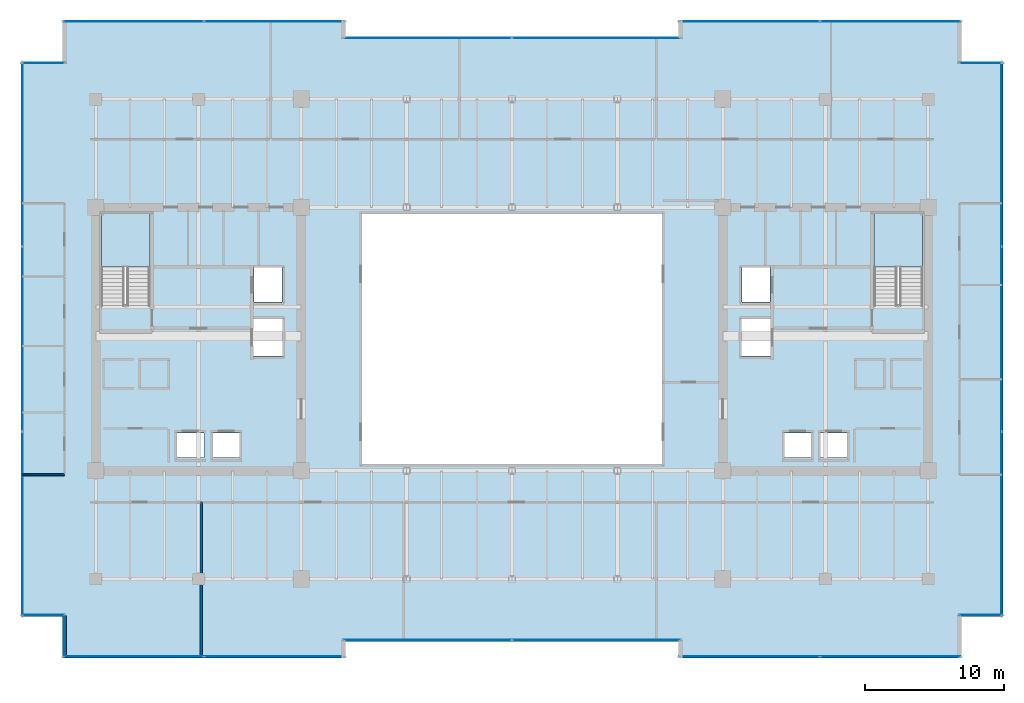
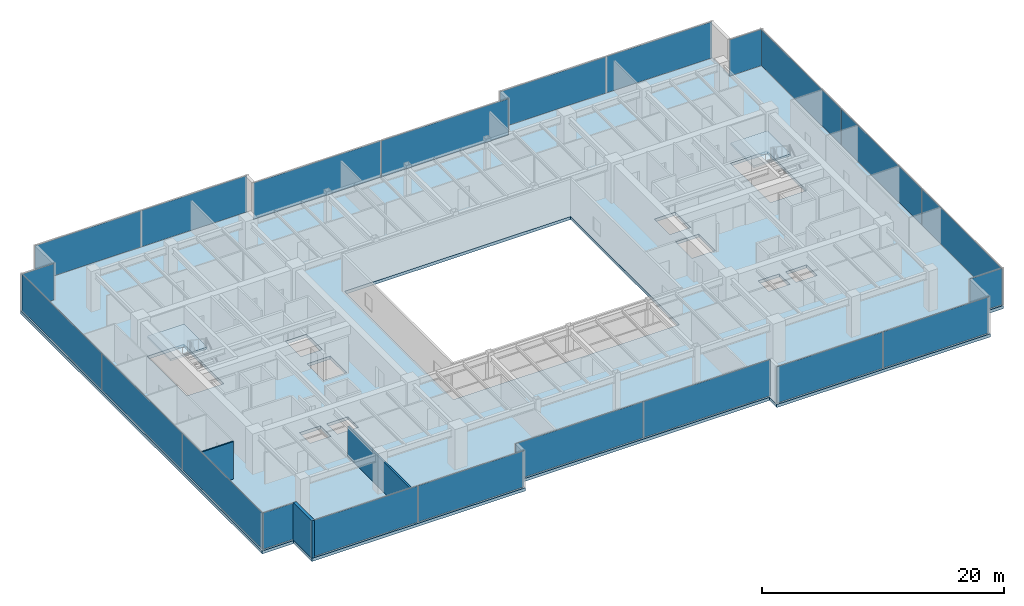
# One storey, part 24 of 31: 22 plates, 3 slabs, 3 walls, 14 elements without a shape of their own.
"""IFC4 building model written with IfcOpenShell, lengths in metres."""

from ifc_helpers import new_model, si_unit, direction, frame, frame_2d, origin, origin_2d, place, context, subcontext, project, spatial, polyline, rectangle, outline, extrude, source, transform, mapped, material, layer, layer_set, type_object, type_shapes, element, aggregate, save


model = new_model("IFC4")

# Units and contexts
model_context = context("Model", 3, precision=1e-05, world=origin(), true_north=direction((0.0, 1.0)))
body_context = subcontext(model_context, "Body", "Model", "MODEL_VIEW")
ifc_project = project(units=[si_unit("LENGTHUNIT", "METRE"), si_unit("AREAUNIT", "SQUARE_METRE"), si_unit("VOLUMEUNIT", "CUBIC_METRE"), si_unit("PLANEANGLEUNIT", "RADIAN"), si_unit("MASSUNIT", "GRAM", prefix="KILO")], contexts=[model_context])

# Site, building, storey
site_placement = place(None, origin())
site = spatial("IfcSite", under=ifc_project, at=site_placement, CompositionType="ELEMENT")
building_placement = place(site_placement, origin())
building = spatial("IfcBuilding", under=site, at=building_placement, Name="Haelvirn Gate Laboratories", CompositionType="ELEMENT")
storey_placement = place(building_placement, frame((0.0, 0.0, 154.300048828125)))
storey = spatial("IfcBuildingStorey", under=building, at=storey_placement, Name="L37", CompositionType="ELEMENT", Elevation=154.300048828125)

# Stair, slab
ifc_material_1 = material(Name="Concrete C40/50", Category="concrete")
stair_type = type_object("IfcStairType", Name="ST-DOG-1650-R22", PredefinedType="HALF_TURN_STAIR", material=ifc_material_1)
stair_1_placement = place(storey_placement, origin())
stair_1 = element("IfcStair", 1, at=stair_1_placement, inside=storey, type_object=stair_type, Name="L37 Escape Stair ST1", PredefinedType="HALF_TURN_STAIR")
ifc_layer_1 = layer(ifc_material_1, 0.199951171875, Name="SL-STAIR-LND")
ifc_layer_set_1 = layer_set([ifc_layer_1], Name="Concrete C40/50")
slab_type_1 = type_object("IfcSlabType", Name="SL-STAIR-LND", PredefinedType="LANDING", material=ifc_layer_set_1)
slab_1_placement = place(storey_placement, frame((0.0, 0.0, 1.849853515625)))
slab_1 = element("IfcSlab", 2, at=slab_1_placement, type_object=slab_type_1, Name="ST1 landing 1", PredefinedType="LANDING", context=body_context, shape_type="SweptSolid", body=[
    extrude(outline(polyline([(11.300048828125, 29.5), (11.300048828125, 33.35009765625), (7.800048828125, 33.35009765625), (7.800048828125, 29.5), (11.300048828125, 29.5)])), origin(), (0.0, 0.0, 1.0), 0.2001953125),
])
aggregate(stair_1, [slab_1])

stair_2_placement = place(storey_placement, origin())
stair_2 = element("IfcStair", 3, at=stair_2_placement, inside=storey, type_object=stair_type, Name="L37 Escape Stair ST2", PredefinedType="HALF_TURN_STAIR")
slab_2_placement = place(storey_placement, frame((0.0, 0.0, 1.849853515625)))
slab_2 = element("IfcSlab", 4, at=slab_2_placement, type_object=slab_type_1, Name="ST2 landing 1", PredefinedType="LANDING", context=body_context, shape_type="SweptSolid", body=[
    extrude(outline(polyline([(67.0, 29.5), (67.0, 33.35009765625), (63.5, 33.35009765625), (63.5, 29.5), (67.0, 29.5)])), origin(), (0.0, 0.0, 1.0), 0.2001953125),
])
aggregate(stair_2, [slab_2])

# Slab
ifc_layer_2 = layer(ifc_material_1, 0.31005859375, Name="SL-Z2-310")
ifc_layer_set_2 = layer_set([ifc_layer_2], Name="Concrete C40/50")
slab_type_2 = type_object("IfcSlabType", Name="SL-Z2-310", PredefinedType="FLOOR", material=ifc_layer_set_2)
slab_3_placement = place(storey_placement, frame((0.0, 0.0, -0.31005859375)))
element("IfcSlab", 5, at=slab_3_placement, inside=storey, type_object=slab_type_2, Name="L37 Structural Slab MAIN", PredefinedType="FLOOR", context=body_context, shape_type="SweptSolid", body=[
    extrude(outline(polyline([(5.0, 1.300048828125), (25.39990234375, 1.300048828125), (25.39990234375, 2.5), (49.39990234375, 2.5), (49.39990234375, 1.300048828125), (69.800048828125, 1.300048828125), (69.800048828125, 4.300048828125), (72.800048828125, 4.300048828125), (72.800048828125, 44.300048828125), (69.800048828125, 44.300048828125), (69.800048828125, 47.300048828125), (49.39990234375, 47.300048828125), (49.39990234375, 46.10009765625), (25.39990234375, 46.10009765625), (25.39990234375, 47.300048828125), (5.0, 47.300048828125), (5.0, 44.300048828125), (2.0, 44.300048828125), (2.0, 4.300048828125), (5.0, 4.300048828125), (5.0, 1.300048828125)]), holes=[polyline([(26.60009765625, 15.300048828125), (48.199951171875, 15.300048828125), (48.199951171875, 33.300048828125), (26.60009765625, 33.300048828125), (26.60009765625, 15.300048828125)]), polyline([(11.300048828125, 26.780029296875), (11.300048828125, 33.35009765625), (7.800048828125, 33.35009765625), (7.800048828125, 26.780029296875), (11.300048828125, 26.780029296875)]), polyline([(67.0, 26.780029296875), (67.0, 33.35009765625), (63.5, 33.35009765625), (63.5, 26.780029296875), (67.0, 26.780029296875)]), polyline([(13.18994140625, 15.77001953125), (15.2099609375, 15.77001953125), (15.2099609375, 17.510009765625), (13.18994140625, 17.510009765625), (13.18994140625, 15.77001953125)]), polyline([(15.7900390625, 15.77001953125), (17.81005859375, 15.77001953125), (17.81005859375, 17.510009765625), (15.7900390625, 17.510009765625), (15.7900390625, 15.77001953125)]), polyline([(18.7900390625, 26.969970703125), (20.81005859375, 26.969970703125), (20.81005859375, 29.510009765625), (18.7900390625, 29.510009765625), (18.7900390625, 26.969970703125)]), polyline([(18.68994140625, 23.070068359375), (20.909912109375, 23.070068359375), (20.909912109375, 25.81005859375), (18.68994140625, 25.81005859375), (18.68994140625, 23.070068359375)]), polyline([(59.590087890625, 15.77001953125), (61.610107421875, 15.77001953125), (61.610107421875, 17.510009765625), (59.590087890625, 17.510009765625), (59.590087890625, 15.77001953125)]), polyline([(56.989990234375, 15.77001953125), (59.010009765625, 15.77001953125), (59.010009765625, 17.510009765625), (56.989990234375, 17.510009765625), (56.989990234375, 15.77001953125)]), polyline([(53.989990234375, 26.969970703125), (56.010009765625, 26.969970703125), (56.010009765625, 29.510009765625), (53.989990234375, 29.510009765625), (53.989990234375, 26.969970703125)]), polyline([(53.889892578125, 23.070068359375), (56.110107421875, 23.070068359375), (56.110107421875, 25.81005859375), (53.889892578125, 25.81005859375), (53.889892578125, 23.070068359375)])]), origin(), (0.0, 0.0, 1.0), 0.31005859375),
])

# Curtain wall, plates
ifc_material_2 = material(Name="Anodised bronze unitised aluminium & triple low-E glass", Category="aluminium")
ifc_layer_3 = layer(ifc_material_2, 0.179931640625, Name="CW-SYS-3")
ifc_layer_set_3 = layer_set([ifc_layer_3], Name="Anodised bronze unitised aluminium & triple low-E glass")
curtain_wall_type_1 = type_object("IfcCurtainWallType", Name="CW-SYS-3", PredefinedType="NOTDEFINED", material=ifc_layer_set_3)
curtain_wall_1_placement = place(storey_placement, origin())
curtain_wall_1 = element("IfcCurtainWall", 6, at=curtain_wall_1_placement, inside=storey, type_object=curtain_wall_type_1, Name="L37 Unitised Curtain Wall CW-L37-P0-E00-1", PredefinedType="NOTDEFINED")
ifc_material_3 = material(Name="High-selectivity bronze triple IGU 40 mm", Category="glass")
ifc_layer_4 = layer(ifc_material_3, 0.0400390625, Name="CWP-IGU-40")
ifc_layer_set_4 = layer_set([ifc_layer_4], Name="High-selectivity bronze triple IGU 40 mm")
plate_type_1 = type_object("IfcPlateType", Name="CWP-IGU-40", PredefinedType="CURTAIN_PANEL", material=ifc_layer_set_4)
shared_shape_1 = source(origin(), body_context, "Body", "SweptSolid", [
    extrude(rectangle(XDim=10.08740234375, YDim=0.0400390625, at=origin_2d()), origin(), (0.0, 0.0, 1.0), 3.659912109375),
])
plate_1_placement = place(storey_placement, frame((10.11865234375, 1.39990234375, 0.06494140625), z_axis=(0.0, 0.0, 1.0), x_axis=(1.0, 0.0, 0.0)))
plate_1 = element("IfcPlate", 7, at=plate_1_placement, type_object=plate_type_1, Name="CW3 panel 1.1", PredefinedType="CURTAIN_PANEL", context=body_context, shape_type="MappedRepresentation", body=[
    mapped(shared_shape_1, transform((0.0, 0.0, 0.0), scale=1.0)),
])
plate_2_placement = place(storey_placement, frame((20.28125, 1.39990234375, 0.06494140625), z_axis=(0.0, 0.0, 1.0), x_axis=(1.0, 0.0, 0.0)))
plate_2 = element("IfcPlate", 8, at=plate_2_placement, type_object=plate_type_1, Name="CW3 panel 2.1", PredefinedType="CURTAIN_PANEL", context=body_context, shape_type="MappedRepresentation", body=[
    mapped(shared_shape_1, transform((0.0, 0.0, 0.0), scale=1.0)),
])
aggregate(curtain_wall_1, [plate_1, plate_2])

curtain_wall_2_placement = place(storey_placement, origin())
curtain_wall_2 = element("IfcCurtainWall", 9, at=curtain_wall_2_placement, inside=storey, type_object=curtain_wall_type_1, Name="L37 Unitised Curtain Wall CW-L37-P0-E04-1", PredefinedType="NOTDEFINED")
plate_3_placement = place(storey_placement, frame((54.518798828125, 1.39990234375, 0.06494140625), z_axis=(0.0, 0.0, 1.0), x_axis=(1.0, 0.0, 0.0)))
plate_3 = element("IfcPlate", 10, at=plate_3_placement, type_object=plate_type_1, Name="CW3 panel 1.1", PredefinedType="CURTAIN_PANEL", context=body_context, shape_type="MappedRepresentation", body=[
    mapped(shared_shape_1, transform((0.0, 0.0, 0.0), scale=1.0)),
])
plate_4_placement = place(storey_placement, frame((64.68115234375, 1.39990234375, 0.06494140625), z_axis=(0.0, 0.0, 1.0), x_axis=(1.0, 0.0, 0.0)))
plate_4 = element("IfcPlate", 11, at=plate_4_placement, type_object=plate_type_1, Name="CW3 panel 2.1", PredefinedType="CURTAIN_PANEL", context=body_context, shape_type="MappedRepresentation", body=[
    mapped(shared_shape_1, transform((0.0, 0.0, 0.0), scale=1.0)),
])
aggregate(curtain_wall_2, [plate_3, plate_4])

curtain_wall_3_placement = place(storey_placement, origin())
curtain_wall_3 = element("IfcCurtainWall", 12, at=curtain_wall_3_placement, inside=storey, type_object=curtain_wall_type_1, Name="L37 Unitised Curtain Wall CW-L37-P0-E10-1", PredefinedType="NOTDEFINED")
plate_5_placement = place(storey_placement, frame((54.518798828125, 47.199951171875, 0.06494140625), z_axis=(0.0, 0.0, 1.0), x_axis=(1.0, 0.0, 0.0)))
plate_5 = element("IfcPlate", 13, at=plate_5_placement, type_object=plate_type_1, Name="CW3 panel 1.1", PredefinedType="CURTAIN_PANEL", context=body_context, shape_type="MappedRepresentation", body=[
    mapped(shared_shape_1, transform((0.0, 0.0, 0.0), scale=1.0)),
])
plate_6_placement = place(storey_placement, frame((64.68115234375, 47.199951171875, 0.06494140625), z_axis=(0.0, 0.0, 1.0), x_axis=(1.0, 0.0, 0.0)))
plate_6 = element("IfcPlate", 14, at=plate_6_placement, type_object=plate_type_1, Name="CW3 panel 2.1", PredefinedType="CURTAIN_PANEL", context=body_context, shape_type="MappedRepresentation", body=[
    mapped(shared_shape_1, transform((0.0, 0.0, 0.0), scale=1.0)),
])
aggregate(curtain_wall_3, [plate_5, plate_6])

curtain_wall_4_placement = place(storey_placement, origin())
curtain_wall_4 = element("IfcCurtainWall", 15, at=curtain_wall_4_placement, inside=storey, type_object=curtain_wall_type_1, Name="L37 Unitised Curtain Wall CW-L37-P0-E14-1", PredefinedType="NOTDEFINED")
plate_7_placement = place(storey_placement, frame((10.11865234375, 47.199951171875, 0.06494140625), z_axis=(0.0, 0.0, 1.0), x_axis=(1.0, 0.0, 0.0)))
plate_7 = element("IfcPlate", 16, at=plate_7_placement, type_object=plate_type_1, Name="CW3 panel 1.1", PredefinedType="CURTAIN_PANEL", context=body_context, shape_type="MappedRepresentation", body=[
    mapped(shared_shape_1, transform((0.0, 0.0, 0.0), scale=1.0)),
])
plate_8_placement = place(storey_placement, frame((20.28125, 47.199951171875, 0.06494140625), z_axis=(0.0, 0.0, 1.0), x_axis=(1.0, 0.0, 0.0)))
plate_8 = element("IfcPlate", 17, at=plate_8_placement, type_object=plate_type_1, Name="CW3 panel 2.1", PredefinedType="CURTAIN_PANEL", context=body_context, shape_type="MappedRepresentation", body=[
    mapped(shared_shape_1, transform((0.0, 0.0, 0.0), scale=1.0)),
])
aggregate(curtain_wall_4, [plate_7, plate_8])

curtain_wall_5_placement = place(storey_placement, origin())
curtain_wall_5 = element("IfcCurtainWall", 18, at=curtain_wall_5_placement, inside=storey, type_object=curtain_wall_type_1, Name="L37 Unitised Curtain Wall CW-L37-P0-E02-1", PredefinedType="NOTDEFINED")
shared_shape_2 = source(origin(), body_context, "Body", "SweptSolid", [
    extrude(rectangle(XDim=12.12744140625, YDim=0.0400390625, at=origin_2d()), origin(), (0.0, 0.0, 1.0), 3.659912109375),
])
plate_9_placement = place(storey_placement, frame((31.298828125, 2.60009765625, 0.06494140625), z_axis=(0.0, 0.0, 1.0), x_axis=(1.0, 0.0, 0.0)))
plate_9 = element("IfcPlate", 19, at=plate_9_placement, type_object=plate_type_1, Name="CW3 panel 1.1", PredefinedType="CURTAIN_PANEL", context=body_context, shape_type="MappedRepresentation", body=[
    mapped(shared_shape_2, transform((0.0, 0.0, 0.0), scale=1.0)),
])
plate_10_placement = place(storey_placement, frame((43.501220703125, 2.60009765625, 0.06494140625), z_axis=(0.0, 0.0, 1.0), x_axis=(1.0, 0.0, 0.0)))
plate_10 = element("IfcPlate", 20, at=plate_10_placement, type_object=plate_type_1, Name="CW3 panel 2.1", PredefinedType="CURTAIN_PANEL", context=body_context, shape_type="MappedRepresentation", body=[
    mapped(shared_shape_2, transform((0.0, 0.0, 0.0), scale=1.0)),
])
aggregate(curtain_wall_5, [plate_9, plate_10])

curtain_wall_6_placement = place(storey_placement, origin())
curtain_wall_6 = element("IfcCurtainWall", 21, at=curtain_wall_6_placement, inside=storey, type_object=curtain_wall_type_1, Name="L37 Unitised Curtain Wall CW-L37-P0-E12-1", PredefinedType="NOTDEFINED")
plate_11_placement = place(storey_placement, frame((31.298828125, 46.0, 0.06494140625), z_axis=(0.0, 0.0, 1.0), x_axis=(1.0, 0.0, 0.0)))
plate_11 = element("IfcPlate", 22, at=plate_11_placement, type_object=plate_type_1, Name="CW3 panel 1.1", PredefinedType="CURTAIN_PANEL", context=body_context, shape_type="MappedRepresentation", body=[
    mapped(shared_shape_2, transform((0.0, 0.0, 0.0), scale=1.0)),
])
plate_12_placement = place(storey_placement, frame((43.501220703125, 46.0, 0.06494140625), z_axis=(0.0, 0.0, 1.0), x_axis=(1.0, 0.0, 0.0)))
plate_12 = element("IfcPlate", 23, at=plate_12_placement, type_object=plate_type_1, Name="CW3 panel 2.1", PredefinedType="CURTAIN_PANEL", context=body_context, shape_type="MappedRepresentation", body=[
    mapped(shared_shape_2, transform((0.0, 0.0, 0.0), scale=1.0)),
])
aggregate(curtain_wall_6, [plate_11, plate_12])

# Curtain wall, plate
ifc_layer_5 = layer(ifc_material_2, 0.181884765625, Name="CW-SYS-5")
ifc_layer_set_5 = layer_set([ifc_layer_5], Name="Anodised bronze unitised aluminium & triple low-E glass")
curtain_wall_type_2 = type_object("IfcCurtainWallType", Name="CW-SYS-5", PredefinedType="NOTDEFINED", material=ifc_layer_set_5)
curtain_wall_7_placement = place(storey_placement, origin())
curtain_wall_7 = element("IfcCurtainWall", 24, at=curtain_wall_7_placement, inside=storey, type_object=curtain_wall_type_2, Name="L37 Unitised Curtain Wall CW-L37-P0-E06-1", PredefinedType="NOTDEFINED")
ifc_material_4 = material(Name="Clear low-iron notched-corner triple IGU 42 mm", Category="glass")
ifc_layer_6 = layer(ifc_material_4, 0.0419921875, Name="CWP-NTC-42")
ifc_layer_set_6 = layer_set([ifc_layer_6], Name="Clear low-iron notched-corner triple IGU 42 mm")
plate_type_2 = type_object("IfcPlateType", Name="CWP-NTC-42", PredefinedType="CURTAIN_PANEL", material=ifc_layer_set_6)
shared_shape_3 = source(origin(), body_context, "Body", "SweptSolid", [
    extrude(rectangle(XDim=3.080078125, YDim=0.0419921875, at=origin_2d()), origin(), (0.0, 0.0, 1.0), 3.659912109375),
])
type_shapes(plate_type_2, [shared_shape_3])
plate_13_placement = place(storey_placement, frame((71.179931640625, 4.39990234375, 0.06494140625), z_axis=(0.0, 0.0, 1.0), x_axis=(1.0, 0.0, 0.0)))
plate_13 = element("IfcPlate", 25, at=plate_13_placement, type_object=plate_type_2, Name="CW5 panel 1.1", PredefinedType="CURTAIN_PANEL", context=body_context, shape_type="MappedRepresentation", body=[
    mapped(shared_shape_3, transform((0.0, 0.0, 0.0), scale=1.0)),
])
aggregate(curtain_wall_7, [plate_13])

curtain_wall_8_placement = place(storey_placement, origin())
curtain_wall_8 = element("IfcCurtainWall", 26, at=curtain_wall_8_placement, inside=storey, type_object=curtain_wall_type_2, Name="L37 Unitised Curtain Wall CW-L37-P0-E08-1", PredefinedType="NOTDEFINED")
plate_14_placement = place(storey_placement, frame((71.179931640625, 44.199951171875, 0.06494140625), z_axis=(0.0, 0.0, 1.0), x_axis=(1.0, 0.0, 0.0)))
plate_14 = element("IfcPlate", 27, at=plate_14_placement, type_object=plate_type_2, Name="CW5 panel 1.1", PredefinedType="CURTAIN_PANEL", context=body_context, shape_type="MappedRepresentation", body=[
    mapped(shared_shape_3, transform((0.0, 0.0, 0.0), scale=1.0)),
])
aggregate(curtain_wall_8, [plate_14])

curtain_wall_9_placement = place(storey_placement, origin())
curtain_wall_9 = element("IfcCurtainWall", 28, at=curtain_wall_9_placement, inside=storey, type_object=curtain_wall_type_2, Name="L37 Unitised Curtain Wall CW-L37-P0-E16-1", PredefinedType="NOTDEFINED")
plate_15_placement = place(storey_placement, frame((3.6201171875, 44.199951171875, 0.06494140625), z_axis=(0.0, 0.0, 1.0), x_axis=(1.0, 0.0, 0.0)))
plate_15 = element("IfcPlate", 29, at=plate_15_placement, type_object=plate_type_2, Name="CW5 panel 1.1", PredefinedType="CURTAIN_PANEL", context=body_context, shape_type="MappedRepresentation", body=[
    mapped(shared_shape_3, transform((0.0, 0.0, 0.0), scale=1.0)),
])
aggregate(curtain_wall_9, [plate_15])

curtain_wall_10_placement = place(storey_placement, origin())
curtain_wall_10 = element("IfcCurtainWall", 30, at=curtain_wall_10_placement, inside=storey, type_object=curtain_wall_type_2, Name="L37 Unitised Curtain Wall CW-L37-P0-E18-1", PredefinedType="NOTDEFINED")
plate_16_placement = place(storey_placement, frame((3.6201171875, 4.39990234375, 0.06494140625), z_axis=(0.0, 0.0, 1.0), x_axis=(1.0, 0.0, 0.0)))
plate_16 = element("IfcPlate", 31, at=plate_16_placement, type_object=plate_type_2, Name="CW5 panel 1.1", PredefinedType="CURTAIN_PANEL", context=body_context, shape_type="MappedRepresentation", body=[
    mapped(shared_shape_3, transform((0.0, 0.0, 0.0), scale=1.0)),
])
aggregate(curtain_wall_10, [plate_16])

# Curtain wall, plates
curtain_wall_11_placement = place(storey_placement, origin())
curtain_wall_11 = element("IfcCurtainWall", 32, at=curtain_wall_11_placement, inside=storey, type_object=curtain_wall_type_1, Name="L37 Unitised Curtain Wall CW-L37-P0-E07", PredefinedType="NOTDEFINED")
shared_shape_4 = source(origin(), body_context, "Body", "SweptSolid", [
    extrude(rectangle(XDim=13.220947265625, YDim=0.0400390625, at=origin_2d()), origin(), (0.0, 0.0, 1.0), 3.659912109375),
])
plate_17_placement = place(storey_placement, frame((72.699951171875, 10.9853515625, 0.06494140625), z_axis=(0.0, 0.0, 1.0), x_axis=(0.0, 1.0, 0.0)))
plate_17 = element("IfcPlate", 33, at=plate_17_placement, type_object=plate_type_1, Name="CW3 panel 1.1", PredefinedType="CURTAIN_PANEL", context=body_context, shape_type="MappedRepresentation", body=[
    mapped(shared_shape_4, transform((0.0, 0.0, 0.0), scale=1.0)),
])
plate_18_placement = place(storey_placement, frame((72.699951171875, 37.614501953125, 0.06494140625), z_axis=(0.0, 0.0, 1.0), x_axis=(0.0, 1.0, 0.0)))
plate_18 = element("IfcPlate", 34, at=plate_18_placement, type_object=plate_type_1, Name="CW3 panel 3.1", PredefinedType="CURTAIN_PANEL", context=body_context, shape_type="MappedRepresentation", body=[
    mapped(shared_shape_4, transform((0.0, 0.0, 0.0), scale=1.0)),
])

curtain_wall_12_placement = place(storey_placement, origin())
curtain_wall_12 = element("IfcCurtainWall", 35, at=curtain_wall_12_placement, inside=storey, type_object=curtain_wall_type_1, Name="L37 Unitised Curtain Wall CW-L37-P0-E17", PredefinedType="NOTDEFINED")
plate_19_placement = place(storey_placement, frame((2.10009765625, 37.614501953125, 0.06494140625), z_axis=(0.0, 0.0, 1.0), x_axis=(0.0, -1.0, 0.0)))
plate_19 = element("IfcPlate", 36, at=plate_19_placement, type_object=plate_type_1, Name="CW3 panel 1.1", PredefinedType="CURTAIN_PANEL", context=body_context, shape_type="MappedRepresentation", body=[
    mapped(shared_shape_4, transform((0.0, 0.0, 0.0), scale=1.0)),
])
plate_20_placement = place(storey_placement, frame((2.10009765625, 10.9853515625, 0.06494140625), z_axis=(0.0, 0.0, 1.0), x_axis=(0.0, -1.0, 0.0)))
plate_20 = element("IfcPlate", 37, at=plate_20_placement, type_object=plate_type_1, Name="CW3 panel 3.1", PredefinedType="CURTAIN_PANEL", context=body_context, shape_type="MappedRepresentation", body=[
    mapped(shared_shape_4, transform((0.0, 0.0, 0.0), scale=1.0)),
])

# Plate
shared_shape_5 = source(origin(), body_context, "Body", "SweptSolid", [
    extrude(rectangle(XDim=13.25830078125, YDim=0.0400390625, at=origin_2d()), origin(), (0.0, 0.0, 1.0), 3.659912109375),
])
type_shapes(plate_type_1, [shared_shape_1, shared_shape_2, shared_shape_4, shared_shape_5])
plate_21_placement = place(storey_placement, frame((72.699951171875, 24.300048828125, 0.06494140625), z_axis=(0.0, 0.0, 1.0), x_axis=(0.0, 1.0, 0.0)))
plate_21 = element("IfcPlate", 38, at=plate_21_placement, type_object=plate_type_1, Name="CW3 panel 2.1", PredefinedType="CURTAIN_PANEL", context=body_context, shape_type="MappedRepresentation", body=[
    mapped(shared_shape_5, transform((0.0, 0.0, 0.0), scale=1.0)),
])

aggregate(curtain_wall_11, [plate_17, plate_21, plate_18])

plate_22_placement = place(storey_placement, frame((2.10009765625, 24.300048828125, 0.06494140625), z_axis=(0.0, 0.0, 1.0), x_axis=(0.0, -1.0, 0.0)))
plate_22 = element("IfcPlate", 39, at=plate_22_placement, type_object=plate_type_1, Name="CW3 panel 2.1", PredefinedType="CURTAIN_PANEL", context=body_context, shape_type="MappedRepresentation", body=[
    mapped(shared_shape_5, transform((0.0, 0.0, 0.0), scale=1.0)),
])

aggregate(curtain_wall_12, [plate_19, plate_22, plate_20])

# Walls
ifc_material_5 = material(Name="Thermally-broken bronze aluminium rainscreen & mineral wool", Category="aluminium")
ifc_layer_7 = layer(ifc_material_5, 0.280029296875, Name="EW-TERR-280")
ifc_layer_set_7 = layer_set([ifc_layer_7], Name="Thermally-broken bronze aluminium rainscreen & mineral wool")
wall_type_1 = type_object("IfcWallType", Name="EW-TERR-280", PredefinedType="STANDARD", material=ifc_layer_set_7)
wall_1_placement = place(storey_placement, frame((5.139892578125, 4.387939453125, 0.0), z_axis=(0.0, 0.0, 1.0), x_axis=(0.0, -1.0, 0.0)))
element("IfcWall", 40, at=wall_1_placement, inside=storey, type_object=wall_type_1, Name="L37 Atrium Recess Bronze Return Wall 19", PredefinedType="STANDARD", context=body_context, shape_type="SweptSolid", body=[
    extrude(rectangle(XDim=3.087890625, YDim=0.280029296875, at=frame_2d((1.5439453125, 0.0))), origin(), (0.0, 0.0, 1.0), 3.7900390625),
])
ifc_material_6 = material(Name="Double-layer acoustic gypsum laboratory partition", Category="gypsum")
ifc_layer_8 = layer(ifc_material_6, 0.159912109375, Name="IW-ACOUST-160")
ifc_layer_set_8 = layer_set([ifc_layer_8], Name="Double-layer acoustic gypsum laboratory partition")
wall_type_2 = type_object("IfcWallType", Name="IW-ACOUST-160", PredefinedType="PARTITIONING", material=ifc_layer_set_8)
wall_2_placement = place(storey_placement, frame((15.0, 1.409912109375, 0.0), z_axis=(0.0, 0.0, 1.0), x_axis=(0.0, 1.0, 0.0)))
element("IfcWall", 41, at=wall_2_placement, inside=storey, type_object=wall_type_2, Name="L37 Interior Wall IW-L37-SDIV-01", PredefinedType="PARTITIONING", context=body_context, shape_type="SweptSolid", body=[
    extrude(rectangle(XDim=11.130126953125, YDim=0.159912109375, at=frame_2d((5.56494140625, 0.0))), origin(), (0.0, 0.0, 1.0), 3.074951171875),
])
ifc_material_7 = material(Name="Lightweight acoustic gypsum board partition", Category="gypsum")
ifc_layer_9 = layer(ifc_material_7, 0.1201171875, Name="IW-PART-120")
ifc_layer_set_9 = layer_set([ifc_layer_9], Name="Lightweight acoustic gypsum board partition")
wall_type_3 = type_object("IfcWallType", Name="IW-PART-120", PredefinedType="PARTITIONING", material=ifc_layer_set_9)
wall_3_placement = place(storey_placement, frame((2.110107421875, 14.514892578125, 0.0), z_axis=(0.0, 0.0, 1.0), x_axis=(1.0, 0.0, 0.0)))
element("IfcWall", 42, at=wall_3_placement, inside=storey, type_object=wall_type_3, Name="L37 Interior Wall IW-L37-WCAP-S", PredefinedType="PARTITIONING", context=body_context, shape_type="SweptSolid", body=[
    extrude(rectangle(XDim=3.019775390625, YDim=0.1201171875, at=frame_2d((1.509765625, 0.0))), origin(), (0.0, 0.0, 1.0), 3.7900390625),
])

save(model, "model.ifc")
